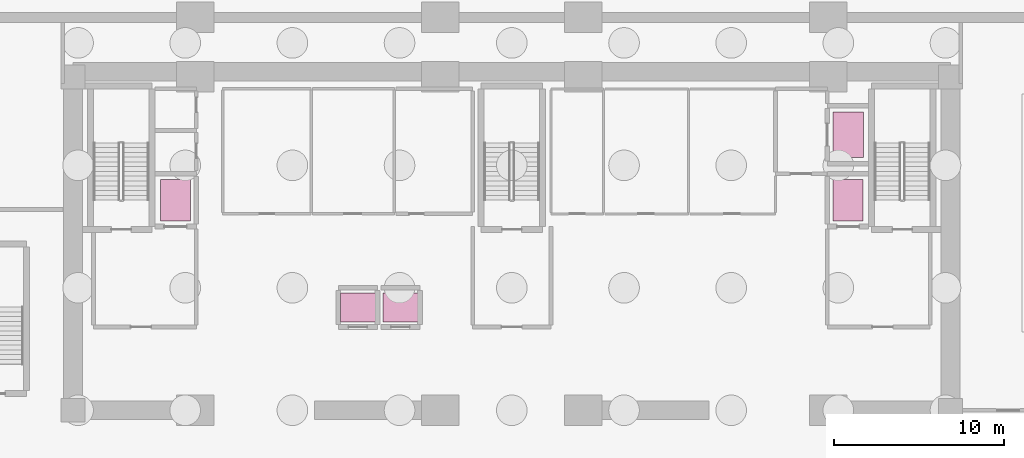
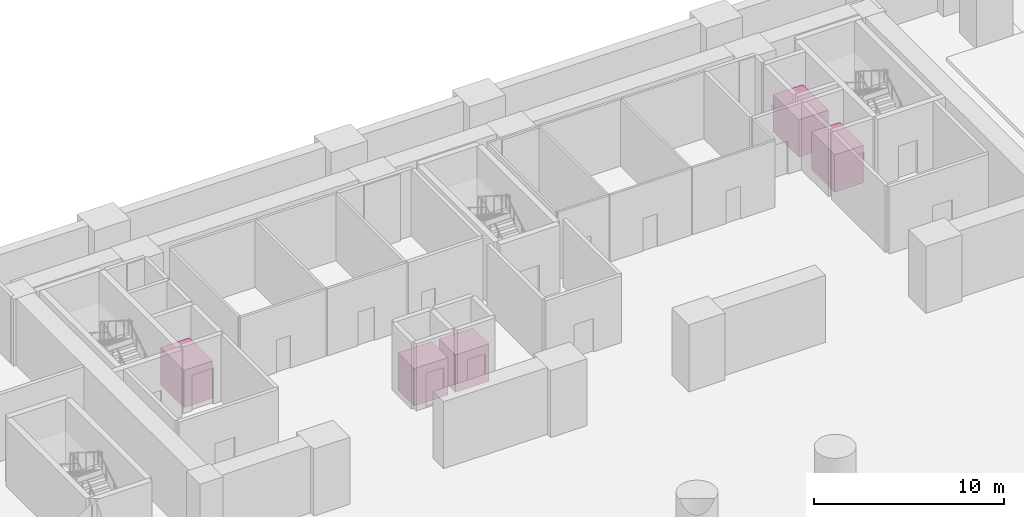
# One storey, part 10 of 10: 5 transport elements.
"""IFC4 building model written with IfcOpenShell, lengths in metres."""

from ifc_helpers import new_model, si_unit, direction, frame, origin, origin_2d, place, context, subcontext, project, spatial, rectangle, extrude, material, type_object, element, save


model = new_model("IFC4")

# Units and contexts
model_context = context("Model", 3, precision=1e-05, world=origin(), true_north=direction((0.0, 1.0)))
body_context = subcontext(model_context, "Body", "Model", "MODEL_VIEW")
ifc_project = project(units=[si_unit("LENGTHUNIT", "METRE"), si_unit("AREAUNIT", "SQUARE_METRE"), si_unit("VOLUMEUNIT", "CUBIC_METRE"), si_unit("PLANEANGLEUNIT", "RADIAN"), si_unit("MASSUNIT", "GRAM", prefix="KILO")], contexts=[model_context])

# Site, building, storey
site_placement = place(None, origin())
site = spatial("IfcSite", under=ifc_project, at=site_placement, CompositionType="ELEMENT")
building_placement = place(site_placement, origin())
building = spatial("IfcBuilding", under=site, at=building_placement, Name="Kaelvorn Grand Hotel", CompositionType="ELEMENT")
storey_placement = place(building_placement, frame((0.0, 0.0, -9.199951171875)))
storey = spatial("IfcBuildingStorey", under=building, at=storey_placement, Name="B02", CompositionType="ELEMENT", Elevation=-9.199951171875)

# Transport elements
ifc_material = material(Name="Stainless Steel Cab", Category="steel")
transport_element_type_1 = type_object("IfcTransportElementType", Name="LFT-FFL-2040KG", PredefinedType="ELEVATOR", material=ifc_material)
for number, where, z_axis, x_axis, name in (
    (1, (22.22509765625, 41.75, 0.0), (0.0, 0.0, 1.0), (1.0, 0.0, 0.0), "Firefighting Lift FFL1"),
    (2, (61.77490234375, 41.75, 0.0), (0.0, 0.0, 1.0), (1.0, 0.0, 0.0), "Firefighting Lift FFL2"),
):
    element("IfcTransportElement", number, at=place(storey_placement, frame(where, z_axis=z_axis, x_axis=x_axis)), inside=storey, type_object=transport_element_type_1, Name=name, PredefinedType="ELEVATOR", context=body_context, shape_type="SweptSolid", body=[
        extrude(rectangle(XDim=1.75, YDim=2.449951171875, at=origin_2d()), origin(), (0.0, 0.0, 1.0), 2.39990234375),
    ])
transport_element_type_2 = type_object("IfcTransportElementType", Name="LFT-HOTEL-1600KG", PredefinedType="ELEVATOR", material=ifc_material)
for number, where, z_axis, x_axis, name in (
    (3, (32.949951171875, 35.449951171875, 0.0), (0.0, 0.0, 1.0), (1.0, 0.0, 0.0), "Car Park Shuttle Lift PK-1"),
    (4, (35.449951171875, 35.449951171875, 0.0), (0.0, 0.0, 1.0), (1.0, 0.0, 0.0), "Car Park Shuttle Lift PK-2"),
):
    element("IfcTransportElement", number, at=place(storey_placement, frame(where, z_axis=z_axis, x_axis=x_axis)), inside=storey, type_object=transport_element_type_2, Name=name, PredefinedType="ELEVATOR", context=body_context, shape_type="SweptSolid", body=[
        extrude(rectangle(XDim=2.050048828125, YDim=1.699951171875, at=origin_2d()), origin(), (0.0, 0.0, 1.0), 2.39990234375),
    ])
transport_element_type_3 = type_object("IfcTransportElementType", Name="LFT-SERV-2500KG", PredefinedType="ELEVATOR", material=ifc_material)
transport_element_placement = place(storey_placement, frame((61.77490234375, 45.60009765625, 0.0), z_axis=(0.0, 0.0, 1.0), x_axis=(1.0, 0.0, 0.0)))
element("IfcTransportElement", 5, at=transport_element_placement, inside=storey, type_object=transport_element_type_3, Name="Service Lift SV1", PredefinedType="ELEVATOR", context=body_context, shape_type="SweptSolid", body=[
    extrude(rectangle(XDim=1.800048828125, YDim=2.699951171875, at=origin_2d()), origin(), (0.0, 0.0, 1.0), 2.39990234375),
])

save(model, "model.ifc")
